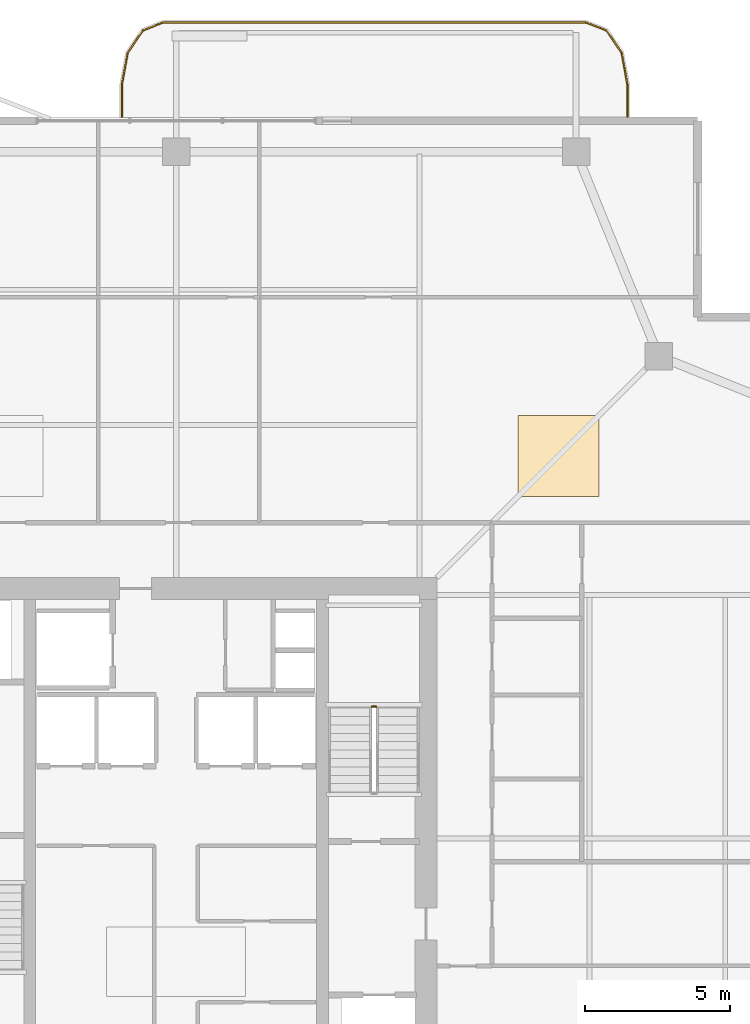
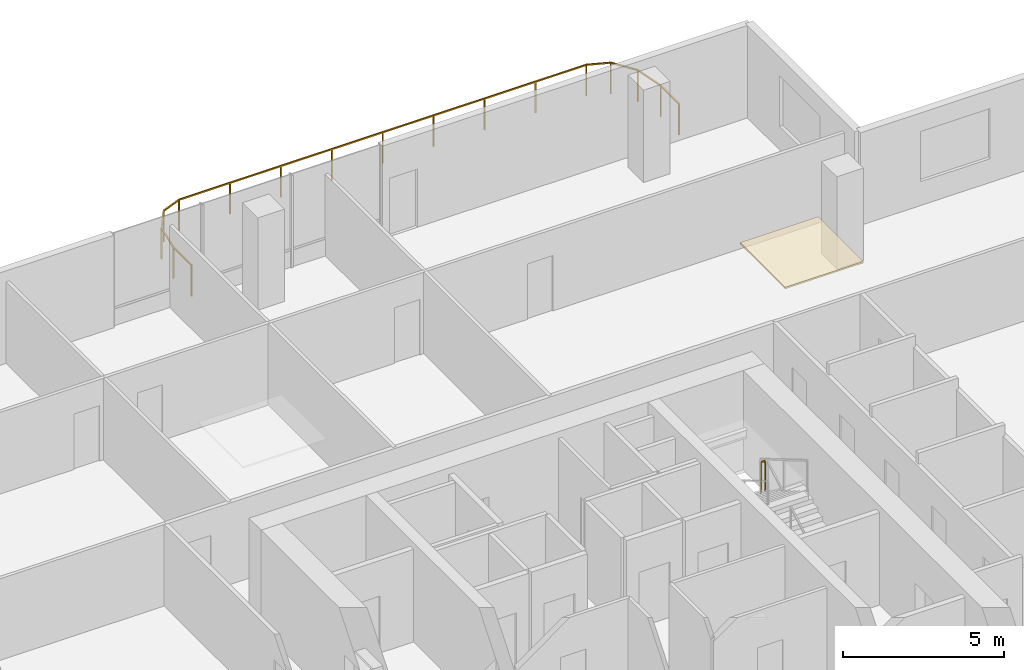
# One storey, part 25 of 25: 2 railings, 1 covering.
"""IFC4 building model written with IfcOpenShell, lengths in metres."""

from ifc_helpers import new_model, si_unit, direction, frame, origin, origin_2d, place, context, subcontext, project, spatial, polyline, rectangle, outline, extrude, material, layer, layer_set, type_object, element, save


model = new_model("IFC4")

# Units and contexts
model_context = context("Model", 3, precision=1e-05, world=origin(), true_north=direction((0.0, 1.0)))
body_context = subcontext(model_context, "Body", "Model", "MODEL_VIEW")
ifc_project = project(units=[si_unit("LENGTHUNIT", "METRE"), si_unit("AREAUNIT", "SQUARE_METRE"), si_unit("VOLUMEUNIT", "CUBIC_METRE"), si_unit("PLANEANGLEUNIT", "RADIAN"), si_unit("MASSUNIT", "GRAM", prefix="KILO")], contexts=[model_context])

# Site, building, storey
site_placement = place(None, origin())
site = spatial("IfcSite", under=ifc_project, at=site_placement, CompositionType="ELEMENT")
building_placement = place(site_placement, origin())
building = spatial("IfcBuilding", under=site, at=building_placement, Name="Belovzor Exchange Tower", CompositionType="ELEMENT")
storey_placement = place(building_placement, frame((0.0, 0.0, 254.10009765625)))
storey = spatial("IfcBuildingStorey", under=building, at=storey_placement, Name="L63", CompositionType="ELEMENT", Elevation=254.10009765625)

# Railings
ifc_material_1 = material(Name="Stainless Steel and Laminated Safety Glass", Category="steel")
railing_type_1 = type_object("IfcRailingType", Name="Laminated Glass & Stainless Steel Balcony Balustrade 1200", PredefinedType="BALUSTRADE", material=ifc_material_1)
railing_1_placement = place(storey_placement, frame((44.3701171875, 53.7099609375, 0.0)))
element("IfcRailing", 1, at=railing_1_placement, inside=storey, type_object=railing_type_1, Name="GR-1 Balcony Balustrade L63 North", PredefinedType="BALUSTRADE", context=body_context, shape_type="SweptSolid", body=[
    extrude(rectangle(XDim=0.048095703125, YDim=0.048095703125, at=origin_2d()), frame((0.0, 0.0, 1.17578125), z_axis=(0.0, 1.0, 0.0), x_axis=(-1.0, 0.0, 0.0)), (0.0, 0.0, 1.0), 1.133056640625),
    extrude(rectangle(XDim=0.048095703125, YDim=0.048095703125, at=origin_2d()), frame((0.0, 1.133056640625, 1.17578125), z_axis=(-0.180122719713, 0.983644145941, 0.0), x_axis=(-0.983644145941, -0.180122719713, 0.0)), (0.0, 0.0, 1.0), 1.09375),
    extrude(rectangle(XDim=0.048095703125, YDim=0.048095703125, at=origin_2d()), frame((-0.197021484375, 2.208984375, 1.17578125), z_axis=(-0.56294695933, 0.826493025367, 0.0), x_axis=(-0.826493025367, -0.56294695933, 0.0)), (0.0, 0.0, 1.0), 0.932861328125),
    extrude(rectangle(XDim=0.048095703125, YDim=0.048095703125, at=origin_2d()), frame((-0.72216796875, 2.97998046875, 1.17578125), z_axis=(-0.930766990125, 0.365612923861, 0.0), x_axis=(-0.365612923861, -0.930766990125, 0.0)), (0.0, 0.0, 1.0), 0.765869140625),
    extrude(rectangle(XDim=0.048095703125, YDim=0.048095703125, at=origin_2d()), frame((-1.43505859375, 3.260009765625, 1.17578125), z_axis=(-1.0, 0.0, 0.0), x_axis=(0.0, -1.0, 0.0)), (0.0, 0.0, 1.0), 14.570068359375),
    extrude(rectangle(XDim=0.048095703125, YDim=0.048095703125, at=origin_2d()), frame((-16.005126953125, 3.260009765625, 1.17578125), z_axis=(-0.930766990125, -0.365612923861, 0.0), x_axis=(0.365612923861, -0.930766990125, 0.0)), (0.0, 0.0, 1.0), 0.765869140625),
    extrude(rectangle(XDim=0.048095703125, YDim=0.048095703125, at=origin_2d()), frame((-16.718017578125, 2.97998046875, 1.17578125), z_axis=(-0.56294695933, -0.826493025367, 0.0), x_axis=(0.826493025367, -0.56294695933, 0.0)), (0.0, 0.0, 1.0), 0.932861328125),
    extrude(rectangle(XDim=0.048095703125, YDim=0.048095703125, at=origin_2d()), frame((-17.2431640625, 2.208984375, 1.17578125), z_axis=(-0.180122719713, -0.983644145941, 0.0), x_axis=(0.983644145941, -0.180122719713, 0.0)), (0.0, 0.0, 1.0), 1.09375),
    extrude(rectangle(XDim=0.048095703125, YDim=0.048095703125, at=origin_2d()), frame((-17.440185546875, 1.133056640625, 1.17578125), z_axis=(0.0, -1.0, 0.0), x_axis=(1.0, 0.0, 0.0)), (0.0, 0.0, 1.0), 1.133056640625),
    extrude(rectangle(XDim=0.0419921875, YDim=0.0419921875, at=origin_2d()), origin(), (0.0, 0.0, 1.0), 1.15185546875),
    extrude(rectangle(XDim=0.0419921875, YDim=0.0419921875, at=origin_2d()), frame((0.0, 1.133056640625, 0.0)), (0.0, 0.0, 1.0), 1.15185546875),
    extrude(rectangle(XDim=0.0419921875, YDim=0.0419921875, at=origin_2d()), frame((-0.197021484375, 2.208984375, 0.0)), (0.0, 0.0, 1.0), 1.15185546875),
    extrude(rectangle(XDim=0.0419921875, YDim=0.0419921875, at=origin_2d()), frame((-0.72216796875, 2.97998046875, 0.0)), (0.0, 0.0, 1.0), 1.15185546875),
    extrude(rectangle(XDim=0.0419921875, YDim=0.0419921875, at=origin_2d()), frame((-1.43505859375, 3.260009765625, 0.0)), (0.0, 0.0, 1.0), 1.15185546875),
    extrude(rectangle(XDim=0.0419921875, YDim=0.0419921875, at=origin_2d()), frame((-3.25634765625, 3.260009765625, 0.0)), (0.0, 0.0, 1.0), 1.15185546875),
    extrude(rectangle(XDim=0.0419921875, YDim=0.0419921875, at=origin_2d()), frame((-5.07763671875, 3.260009765625, 0.0)), (0.0, 0.0, 1.0), 1.15185546875),
    extrude(rectangle(XDim=0.0419921875, YDim=0.0419921875, at=origin_2d()), frame((-6.89892578125, 3.260009765625, 0.0)), (0.0, 0.0, 1.0), 1.15185546875),
    extrude(rectangle(XDim=0.0419921875, YDim=0.0419921875, at=origin_2d()), frame((-8.72021484375, 3.260009765625, 0.0)), (0.0, 0.0, 1.0), 1.15185546875),
    extrude(rectangle(XDim=0.0419921875, YDim=0.0419921875, at=origin_2d()), frame((-10.541259765625, 3.260009765625, 0.0)), (0.0, 0.0, 1.0), 1.15185546875),
    extrude(rectangle(XDim=0.0419921875, YDim=0.0419921875, at=origin_2d()), frame((-12.362548828125, 3.260009765625, 0.0)), (0.0, 0.0, 1.0), 1.15185546875),
    extrude(rectangle(XDim=0.0419921875, YDim=0.0419921875, at=origin_2d()), frame((-14.183837890625, 3.260009765625, 0.0)), (0.0, 0.0, 1.0), 1.15185546875),
    extrude(rectangle(XDim=0.0419921875, YDim=0.0419921875, at=origin_2d()), frame((-16.005126953125, 3.260009765625, 0.0)), (0.0, 0.0, 1.0), 1.15185546875),
    extrude(rectangle(XDim=0.0419921875, YDim=0.0419921875, at=origin_2d()), frame((-16.718017578125, 2.97998046875, 0.0)), (0.0, 0.0, 1.0), 1.15185546875),
    extrude(rectangle(XDim=0.0419921875, YDim=0.0419921875, at=origin_2d()), frame((-17.2431640625, 2.208984375, 0.0)), (0.0, 0.0, 1.0), 1.15185546875),
    extrude(rectangle(XDim=0.0419921875, YDim=0.0419921875, at=origin_2d()), frame((-17.440185546875, 1.133056640625, 0.0)), (0.0, 0.0, 1.0), 1.15185546875),
    extrude(rectangle(XDim=0.0419921875, YDim=0.0419921875, at=origin_2d()), frame((-17.440185546875, 0.0, 0.0)), (0.0, 0.0, 1.0), 1.15185546875),
])
ifc_material_2 = material(Name="Steel S355", Category="steel")
railing_type_2 = type_object("IfcRailingType", Name="Painted Steel Stairwell Guardrail 1200", PredefinedType="GUARDRAIL", material=ifc_material_2)
railing_2_placement = place(storey_placement, frame((35.699951171875, 33.35009765625, 1.875)))
element("IfcRailing", 2, at=railing_2_placement, inside=storey, type_object=railing_type_2, Name="L63 ST-2 stair guard 2", PredefinedType="GUARDRAIL", context=body_context, shape_type="SweptSolid", body=[
    extrude(rectangle(XDim=0.048095703125, YDim=0.048095703125, at=origin_2d()), frame((0.0, 0.0, 1.17578125), z_axis=(-1.0, 0.0, 0.0), x_axis=(0.0, -1.0, 0.0)), (0.0, 0.0, 1.0), 0.14990234375),
    extrude(rectangle(XDim=0.0419921875, YDim=0.0419921875, at=origin_2d()), origin(), (0.0, 0.0, 1.0), 1.15185546875),
    extrude(rectangle(XDim=0.0419921875, YDim=0.0419921875, at=origin_2d()), frame((-0.14990234375, 0.0, 0.0)), (0.0, 0.0, 1.0), 1.15185546875),
])

# Covering
ifc_material_3 = material(Name="Perforated Powder-Coated Aluminium", Category="aluminium")
ifc_layer = layer(ifc_material_3, 0.06005859375)
ifc_layer_set = layer_set([ifc_layer], Name="Perforated Powder-Coated Aluminium")
covering_type = type_object("IfcCoveringType", Name="Perforated Acoustic Metal Tile Suspended Ceiling 60", PredefinedType="CEILING", material=ifc_layer_set)
covering_placement = place(storey_placement, frame((0.0, 0.0, 3.43994140625)))
element("IfcCovering", 3, at=covering_placement, inside=storey, type_object=covering_type, Name="CLG-AC60 Suspended Ceiling CLG-L63-Z2", PredefinedType="CEILING", context=body_context, shape_type="SweptSolid", body=[
    extrude(outline(polyline([(40.60009765625, 40.60009765625), (43.39990234375, 40.60009765625), (43.39990234375, 43.39990234375), (40.60009765625, 43.39990234375), (40.60009765625, 40.60009765625)])), origin(), (0.0, 0.0, 1.0), 0.06005859375),
])

save(model, "model.ifc")
